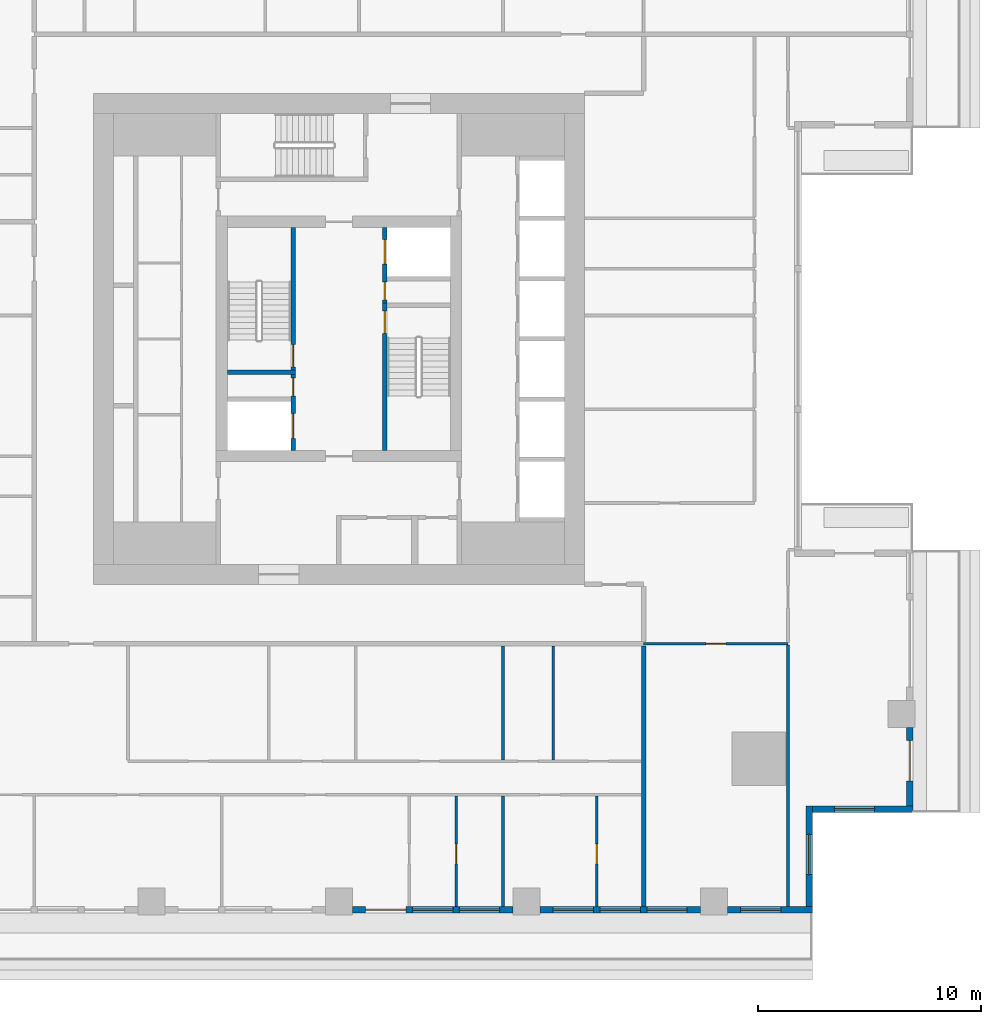
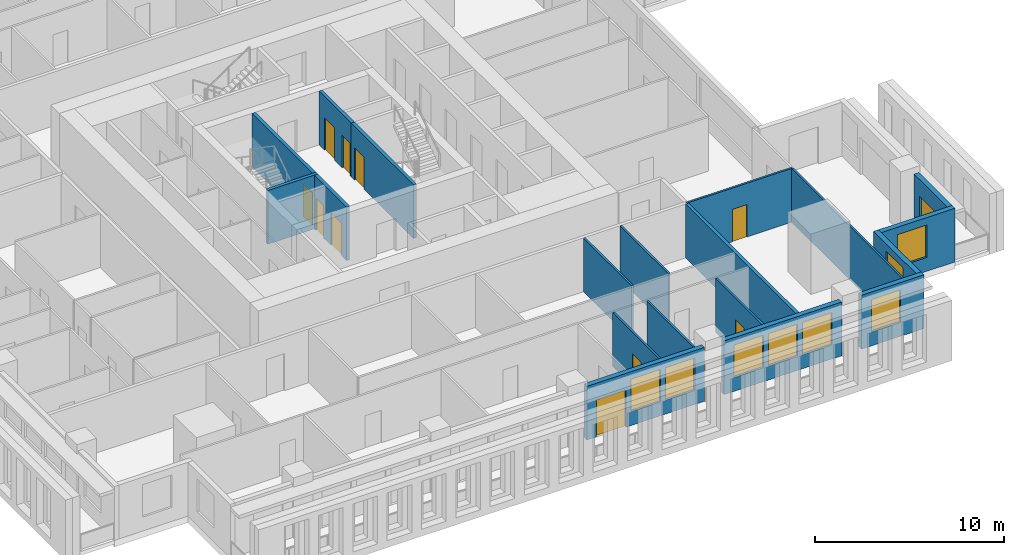
# One storey, part 4 of 15: 19 walls, 11 doors, 8 windows, 19 openings.
"""IFC4 building model written with IfcOpenShell, lengths in metres."""

from ifc_helpers import new_model, si_unit, direction, frame, frame_2d, origin, place, context, subcontext, project, spatial, rectangle, extrude, material, layer, layer_set, type_object, element, fill, save


model = new_model("IFC4")

# Units and contexts
model_context = context("Model", 3, precision=1e-05, world=origin(), true_north=direction((0.0, 1.0)))
body_context = subcontext(model_context, "Body", "Model", "MODEL_VIEW")
ifc_project = project(units=[si_unit("LENGTHUNIT", "METRE"), si_unit("AREAUNIT", "SQUARE_METRE"), si_unit("VOLUMEUNIT", "CUBIC_METRE"), si_unit("PLANEANGLEUNIT", "RADIAN"), si_unit("MASSUNIT", "GRAM", prefix="KILO")], contexts=[model_context])

# Site, building, storey
site_placement = place(None, origin())
site = spatial("IfcSite", under=ifc_project, at=site_placement, CompositionType="ELEMENT")
building_placement = place(site_placement, origin())
building = spatial("IfcBuilding", under=site, at=building_placement, Name="Khepri Terraces", CompositionType="ELEMENT")
storey_placement = place(building_placement, frame((0.0, 0.0, 211.800048828125)))
storey = spatial("IfcBuildingStorey", under=building, at=storey_placement, Name="L50", CompositionType="ELEMENT", Elevation=211.800048828125)

# Wall, opening, door
ifc_material_1 = material(Name="Concrete C50/60", Category="concrete")
ifc_layer_1 = layer(ifc_material_1, 0.199951171875, Name="Concrete C50/60", Category="concrete")
ifc_layer_set_1 = layer_set([ifc_layer_1], Name="Concrete C50/60")
wall_type_1 = type_object("IfcWallType", Name="Core wall 200 C50/60", PredefinedType="SHEAR", material=ifc_layer_set_1)
wall_1_placement = place(storey_placement, frame((2.050048828125, -5.0, 0.0), z_axis=(0.0, 0.0, 1.0), x_axis=(0.0, 1.0, 0.0)))
wall_1 = element("IfcWall", 1, at=wall_1_placement, inside=storey, type_object=wall_type_1, Name="Core wall ST01 L50", PredefinedType="SHEAR", context=body_context, shape_type="SweptSolid", body=[
    extrude(rectangle(XDim=6.60009765625, YDim=0.199951171875, at=frame_2d((3.300048828125, 0.0))), origin(), (0.0, 0.0, 1.0), 3.47998046875),
])
opening_1_placement = place(wall_1_placement, frame((5.25, 0.0, 0.0)))
opening_1 = element("IfcOpeningElement", 2, at=opening_1_placement, cuts=wall_1, Name="Opening L50-C10", PredefinedType="OPENING", context=body_context, shape_type="SweptSolid", body=[
    extrude(rectangle(XDim=1.0, YDim=2.10009765625, at=frame_2d((0.5, 1.050048828125))), frame((0.0, 0.10986328125, 0.0), z_axis=(0.0, -1.0, 0.0), x_axis=(1.0, 0.0, 0.0)), (0.0, 0.0, 1.0), 0.219970703125),
])
ifc_material_2 = material(Name="Painted steel", Category="steel")
door_type_1 = type_object("IfcDoorType", Name="DR-CORE-STAIR-1000", OperationType="NOTDEFINED", PredefinedType="DOOR", material=ifc_material_2)
door_1_placement = place(opening_1_placement, frame((1.0, 0.0, 0.0), z_axis=(0.0, 0.0, 1.0), x_axis=(-1.0, 0.0, 0.0)))
door_1 = element("IfcDoor", 3, at=door_1_placement, inside=storey, type_object=door_type_1, Name="Stair door L50-C10", OperationType="SINGLE_SWING_LEFT", OverallHeight=2.10009765625, OverallWidth=1.0, PredefinedType="DOOR", context=body_context, shape_type="SweptSolid", body=[
    extrude(rectangle(XDim=1.0, YDim=2.10009765625, at=frame_2d((0.5, 1.050048828125))), frame((0.0, 0.02490234375, 0.0), z_axis=(0.0, -1.0, 0.0), x_axis=(1.0, 0.0, 0.0)), (0.0, 0.0, 1.0), 0.050048828125),
])
fill(opening_1, door_1)

# Wall
wall_2_placement = place(storey_placement, frame((-5.0, -1.5, 0.0), z_axis=(0.0, 0.0, 1.0), x_axis=(1.0, 0.0, 0.0)))
element("IfcWall", 4, at=wall_2_placement, inside=storey, type_object=wall_type_1, Name="Core wall ST02 L50", PredefinedType="SHEAR", context=body_context, shape_type="SweptSolid", body=[
    extrude(rectangle(XDim=3.050048828125, YDim=0.199951171875, at=frame_2d((1.52490234375, 0.0))), origin(), (0.0, 0.0, 1.0), 3.47998046875),
])

# Wall, opening, door
wall_3_placement = place(storey_placement, frame((-2.050048828125, -1.39990234375, 0.0), z_axis=(0.0, 0.0, 1.0), x_axis=(0.0, 1.0, 0.0)))
wall_3 = element("IfcWall", 5, at=wall_3_placement, inside=storey, type_object=wall_type_1, Name="Core wall ST03 L50", PredefinedType="SHEAR", context=body_context, shape_type="SweptSolid", body=[
    extrude(rectangle(XDim=6.39990234375, YDim=0.199951171875, at=frame_2d((3.199951171875, 0.0))), origin(), (0.0, 0.0, 1.0), 3.47998046875),
])
opening_2_placement = place(wall_3_placement, frame((0.14990234375, 0.0, 0.0)))
opening_2 = element("IfcOpeningElement", 6, at=opening_2_placement, cuts=wall_3, Name="Opening L50-C09", PredefinedType="OPENING", context=body_context, shape_type="SweptSolid", body=[
    extrude(rectangle(XDim=1.0, YDim=2.10009765625, at=frame_2d((0.5, 1.050048828125))), frame((0.0, 0.10986328125, 0.0), z_axis=(0.0, -1.0, 0.0), x_axis=(1.0, 0.0, 0.0)), (0.0, 0.0, 1.0), 0.219970703125),
])
door_2_placement = place(opening_2_placement, origin())
door_2 = element("IfcDoor", 7, at=door_2_placement, inside=storey, type_object=door_type_1, Name="Stair door L50-C09", OperationType="SINGLE_SWING_LEFT", OverallHeight=2.10009765625, OverallWidth=1.0, PredefinedType="DOOR", context=body_context, shape_type="SweptSolid", body=[
    extrude(rectangle(XDim=1.0, YDim=2.10009765625, at=frame_2d((0.5, 1.050048828125))), frame((0.0, 0.02490234375, 0.0), z_axis=(0.0, -1.0, 0.0), x_axis=(1.0, 0.0, 0.0)), (0.0, 0.0, 1.0), 0.050048828125),
])
fill(opening_2, door_2)

# Wall, openings, doors
wall_4_placement = place(storey_placement, frame((-2.050048828125, -5.0, 0.0), z_axis=(0.0, 0.0, 1.0), x_axis=(0.0, 1.0, 0.0)))
wall_4 = element("IfcWall", 8, at=wall_4_placement, inside=storey, type_object=wall_type_1, Name="Core wall SH05 L50", PredefinedType="SHEAR", context=body_context, shape_type="SweptSolid", body=[
    extrude(rectangle(XDim=3.39990234375, YDim=0.199951171875, at=frame_2d((1.699951171875, 0.0))), origin(), (0.0, 0.0, 1.0), 3.47998046875),
])
opening_3_placement = place(wall_4_placement, frame((0.550048828125, 0.0, 0.0)))
opening_3 = element("IfcOpeningElement", 9, at=opening_3_placement, cuts=wall_4, Name="Opening L50-C08", PredefinedType="OPENING", context=body_context, shape_type="SweptSolid", body=[
    extrude(rectangle(XDim=1.10009765625, YDim=2.10009765625, at=frame_2d((0.550048828125, 1.050048828125))), frame((0.0, 0.10986328125, 0.0), z_axis=(0.0, -1.0, 0.0), x_axis=(1.0, 0.0, 0.0)), (0.0, 0.0, 1.0), 0.219970703125),
])
opening_4_placement = place(wall_4_placement, frame((2.449951171875, 0.0, 0.0)))
opening_4 = element("IfcOpeningElement", 10, at=opening_4_placement, cuts=wall_4, Name="Opening L50-C12", PredefinedType="OPENING", context=body_context, shape_type="SweptSolid", body=[
    extrude(rectangle(XDim=0.800048828125, YDim=2.10009765625, at=frame_2d((0.39990234375, 1.050048828125))), frame((0.0, 0.10986328125, 0.0), z_axis=(0.0, -1.0, 0.0), x_axis=(1.0, 0.0, 0.0)), (0.0, 0.0, 1.0), 0.219970703125),
])
ifc_material_3 = material(Name="Stainless steel 304", Category="steel")
door_type_2 = type_object("IfcDoorType", Name="DR-CORE-FF-LANDING-1100", OperationType="NOTDEFINED", PredefinedType="DOOR", material=ifc_material_3)
door_3_placement = place(opening_3_placement, origin())
door_3 = element("IfcDoor", 11, at=door_3_placement, inside=storey, type_object=door_type_2, Name="Firefighting lift landing door L50-C08", OperationType="SLIDING_TO_LEFT", OverallHeight=2.10009765625, OverallWidth=1.10009765625, PredefinedType="DOOR", context=body_context, shape_type="SweptSolid", body=[
    extrude(rectangle(XDim=1.10009765625, YDim=2.10009765625, at=frame_2d((0.550048828125, 1.050048828125))), frame((0.0, 0.02490234375, 0.0), z_axis=(0.0, -1.0, 0.0), x_axis=(1.0, 0.0, 0.0)), (0.0, 0.0, 1.0), 0.050048828125),
])
fill(opening_3, door_3)
door_type_3 = type_object("IfcDoorType", Name="DR-CORE-RISER-800", OperationType="NOTDEFINED", PredefinedType="DOOR", material=ifc_material_2)
door_4_placement = place(opening_4_placement, origin())
door_4 = element("IfcDoor", 12, at=door_4_placement, inside=storey, type_object=door_type_3, Name="Riser door L50-C12", OperationType="SINGLE_SWING_RIGHT", OverallHeight=2.10009765625, OverallWidth=0.800048828125, PredefinedType="DOOR", context=body_context, shape_type="SweptSolid", body=[
    extrude(rectangle(XDim=0.800048828125, YDim=2.10009765625, at=frame_2d((0.39990234375, 1.050048828125))), frame((0.0, 0.02490234375, 0.0), z_axis=(0.0, -1.0, 0.0), x_axis=(1.0, 0.0, 0.0)), (0.0, 0.0, 1.0), 0.050048828125),
])
fill(opening_4, door_4)

wall_5_placement = place(storey_placement, frame((2.050048828125, 1.60009765625, 0.0), z_axis=(0.0, 0.0, 1.0), x_axis=(0.0, 1.0, 0.0)))
wall_5 = element("IfcWall", 13, at=wall_5_placement, inside=storey, type_object=wall_type_1, Name="Core wall SH10 L50", PredefinedType="SHEAR", context=body_context, shape_type="SweptSolid", body=[
    extrude(rectangle(XDim=3.39990234375, YDim=0.199951171875, at=frame_2d((1.699951171875, 0.0))), origin(), (0.0, 0.0, 1.0), 3.47998046875),
])
opening_5_placement = place(wall_5_placement, frame((1.75, 0.0, 0.0)))
opening_5 = element("IfcOpeningElement", 14, at=opening_5_placement, cuts=wall_5, Name="Opening L50-C07", PredefinedType="OPENING", context=body_context, shape_type="SweptSolid", body=[
    extrude(rectangle(XDim=1.10009765625, YDim=2.10009765625, at=frame_2d((0.550048828125, 1.050048828125))), frame((0.0, 0.10986328125, 0.0), z_axis=(0.0, -1.0, 0.0), x_axis=(1.0, 0.0, 0.0)), (0.0, 0.0, 1.0), 0.219970703125),
])
opening_6_placement = place(wall_5_placement, frame((0.14990234375, 0.0, 0.0)))
opening_6 = element("IfcOpeningElement", 15, at=opening_6_placement, cuts=wall_5, Name="Opening L50-C11", PredefinedType="OPENING", context=body_context, shape_type="SweptSolid", body=[
    extrude(rectangle(XDim=0.800048828125, YDim=2.10009765625, at=frame_2d((0.39990234375, 1.050048828125))), frame((0.0, 0.10986328125, 0.0), z_axis=(0.0, -1.0, 0.0), x_axis=(1.0, 0.0, 0.0)), (0.0, 0.0, 1.0), 0.219970703125),
])
door_5_placement = place(opening_5_placement, origin())
door_5 = element("IfcDoor", 16, at=door_5_placement, inside=storey, type_object=door_type_2, Name="Firefighting lift landing door L50-C07", OperationType="SLIDING_TO_LEFT", OverallHeight=2.10009765625, OverallWidth=1.10009765625, PredefinedType="DOOR", context=body_context, shape_type="SweptSolid", body=[
    extrude(rectangle(XDim=1.10009765625, YDim=2.10009765625, at=frame_2d((0.550048828125, 1.050048828125))), frame((0.0, 0.02490234375, 0.0), z_axis=(0.0, -1.0, 0.0), x_axis=(1.0, 0.0, 0.0)), (0.0, 0.0, 1.0), 0.050048828125),
])
fill(opening_5, door_5)
door_6_placement = place(opening_6_placement, frame((0.800048828125, 0.0, 0.0), z_axis=(0.0, 0.0, 1.0), x_axis=(-1.0, 0.0, 0.0)))
door_6 = element("IfcDoor", 17, at=door_6_placement, inside=storey, type_object=door_type_3, Name="Riser door L50-C11", OperationType="SINGLE_SWING_RIGHT", OverallHeight=2.10009765625, OverallWidth=0.800048828125, PredefinedType="DOOR", context=body_context, shape_type="SweptSolid", body=[
    extrude(rectangle(XDim=0.800048828125, YDim=2.10009765625, at=frame_2d((0.39990234375, 1.050048828125))), frame((0.0, 0.02490234375, 0.0), z_axis=(0.0, -1.0, 0.0), x_axis=(1.0, 0.0, 0.0)), (0.0, 0.0, 1.0), 0.050048828125),
])
fill(opening_6, door_6)

# Wall
ifc_material_4 = material(Name="Fire-rated gypsum plasterboard partition, mineral wool")
ifc_layer_2 = layer(ifc_material_4, 0.199951171875, Name="Fire-rated gypsum plasterboard partition, mineral wool")
ifc_layer_set_2 = layer_set([ifc_layer_2], Name="Fire-rated gypsum plasterboard partition, mineral wool")
wall_type_2 = type_object("IfcWallType", Name="WL-CORR-200", PredefinedType="PARTITIONING", material=ifc_layer_set_2)
wall_6_placement = place(storey_placement, frame((13.64990234375, -25.419921875, 0.0), z_axis=(0.0, 0.0, 1.0), x_axis=(0.0, 1.0, 0.0)))
element("IfcWall", 18, at=wall_6_placement, inside=storey, type_object=wall_type_2, Name="Partition P-007 L50", PredefinedType="PARTITIONING", context=body_context, shape_type="SweptSolid", body=[
    extrude(rectangle(XDim=11.669921875, YDim=0.199951171875, at=frame_2d((5.8349609375, 0.0))), origin(), (0.0, 0.0, 1.0), 3.47998046875),
])

# Wall, opening, window
ifc_material_5 = material(Name="Precast concrete C50/60 warm stone", Category="masonry")
ifc_layer_3 = layer(ifc_material_5, 0.300048828125, Name="Precast concrete C50/60 warm stone", Category="masonry")
ifc_layer_set_3 = layer_set([ifc_layer_3], Name="Precast concrete C50/60 warm stone")
wall_type_3 = type_object("IfcWallType", Name="WL-EXT-PRECAST-300", PredefinedType="STANDARD", material=ifc_layer_set_3)
wall_7_placement = place(storey_placement, frame((21.219970703125, -21.070068359375, 0.0), z_axis=(0.0, 0.0, 1.0), x_axis=(1.0, 0.0, 0.0)))
wall_7 = element("IfcWall", 19, at=wall_7_placement, inside=storey, type_object=wall_type_3, Name="External wall L50 S", PredefinedType="STANDARD", context=body_context, shape_type="SweptSolid", body=[
    extrude(rectangle(XDim=4.5, YDim=0.300048828125, at=frame_2d((2.25, 0.0))), origin(), (0.0, 0.0, 1.0), 3.47998046875),
])
opening_7_placement = place(wall_7_placement, frame((0.97998046875, 0.0, 0.89990234375)))
opening_7 = element("IfcOpeningElement", 20, at=opening_7_placement, cuts=wall_7, Name="Opening W1", PredefinedType="OPENING", context=body_context, shape_type="SweptSolid", body=[
    extrude(rectangle(XDim=1.800048828125, YDim=2.10009765625, at=frame_2d((0.89990234375, 1.050048828125))), frame((0.0, 0.16015625, 0.0), z_axis=(0.0, -1.0, 0.0), x_axis=(1.0, 0.0, 0.0)), (0.0, 0.0, 1.0), 0.320068359375),
])
ifc_material_6 = material(Name="Clear glass", Category="glass")
window_type = type_object("IfcWindowType", Name="WIN-RES-1800x2100", PartitioningType="SINGLE_PANEL", PredefinedType="WINDOW", material=ifc_material_6)
window_1_placement = place(opening_7_placement, origin())
window_1 = element("IfcWindow", 21, at=window_1_placement, inside=storey, type_object=window_type, Name="Window L50 S", OverallHeight=2.10009765625, OverallWidth=1.800048828125, PartitioningType="SINGLE_PANEL", PredefinedType="WINDOW", context=body_context, shape_type="SweptSolid", body=[
    extrude(rectangle(XDim=1.800048828125, YDim=2.10009765625, at=frame_2d((0.89990234375, 1.050048828125))), frame((0.0, 0.030029296875, 0.0), z_axis=(0.0, -1.0, 0.0), x_axis=(1.0, 0.0, 0.0)), (0.0, 0.0, 1.0), 0.06005859375),
])
fill(opening_7, window_1)

# Wall, opening, door
wall_8_placement = place(storey_placement, frame((25.570068359375, -20.919921875, 0.0), z_axis=(0.0, 0.0, 1.0), x_axis=(0.0, 1.0, 0.0)))
wall_8 = element("IfcWall", 22, at=wall_8_placement, inside=storey, type_object=wall_type_3, Name="External wall L50 E", PredefinedType="STANDARD", context=body_context, shape_type="SweptSolid", body=[
    extrude(rectangle(XDim=3.52001953125, YDim=0.300048828125, at=frame_2d((1.760009765625, 0.0))), origin(), (0.0, 0.0, 1.0), 3.47998046875),
])
opening_8_placement = place(wall_8_placement, frame((1.1201171875, 0.0, 0.0)))
opening_8 = element("IfcOpeningElement", 23, at=opening_8_placement, cuts=wall_8, Name="Opening ED-L50-01", PredefinedType="OPENING", context=body_context, shape_type="SweptSolid", body=[
    extrude(rectangle(XDim=1.800048828125, YDim=2.39990234375, at=frame_2d((0.89990234375, 1.199951171875))), frame((0.0, 0.16015625, 0.0), z_axis=(0.0, -1.0, 0.0), x_axis=(1.0, 0.0, 0.0)), (0.0, 0.0, 1.0), 0.320068359375),
])
ifc_material_7 = material(Name="Anodised aluminium bronze glazed door", Category="aluminium")
door_type_4 = type_object("IfcDoorType", Name="DR-BAL-SLIDE-1800x2400", OperationType="NOTDEFINED", PredefinedType="DOOR", material=ifc_material_7)
door_7_placement = place(opening_8_placement, origin())
door_7 = element("IfcDoor", 24, at=door_7_placement, inside=storey, type_object=door_type_4, Name="Balcony door L50 E", OperationType="SLIDING_TO_RIGHT", OverallHeight=2.39990234375, OverallWidth=1.800048828125, PredefinedType="DOOR", context=body_context, shape_type="SweptSolid", body=[
    extrude(rectangle(XDim=1.800048828125, YDim=2.39990234375, at=frame_2d((0.89990234375, 1.199951171875))), frame((0.0, 0.02490234375, 0.0), z_axis=(0.0, -1.0, 0.0), x_axis=(1.0, 0.0, 0.0)), (0.0, 0.0, 1.0), 0.050048828125),
])
fill(opening_8, door_7)

# Wall, openings, door, windows
wall_9_placement = place(storey_placement, frame((0.60009765625, -25.570068359375, 0.0), z_axis=(0.0, 0.0, 1.0), x_axis=(1.0, 0.0, 0.0)))
wall_9 = element("IfcWall", 25, at=wall_9_placement, inside=storey, type_object=wall_type_3, Name="External wall L50 S", PredefinedType="STANDARD", context=body_context, shape_type="SweptSolid", body=[
    extrude(rectangle(XDim=7.199951171875, YDim=0.300048828125, at=frame_2d((3.60009765625, 0.0))), origin(), (0.0, 0.0, 1.0), 3.47998046875),
])
opening_9_placement = place(wall_9_placement, frame((0.60009765625, 0.0, 0.0)))
opening_9 = element("IfcOpeningElement", 26, at=opening_9_placement, cuts=wall_9, Name="Opening ED-L50-22", PredefinedType="OPENING", context=body_context, shape_type="SweptSolid", body=[
    extrude(rectangle(XDim=1.800048828125, YDim=2.39990234375, at=frame_2d((0.89990234375, 1.199951171875))), frame((0.0, 0.16015625, 0.0), z_axis=(0.0, -1.0, 0.0), x_axis=(1.0, 0.0, 0.0)), (0.0, 0.0, 1.0), 0.320068359375),
])
opening_10_placement = place(wall_9_placement, frame((2.699951171875, 0.0, 0.89990234375)))
opening_10 = element("IfcOpeningElement", 27, at=opening_10_placement, cuts=wall_9, Name="Opening W1", PredefinedType="OPENING", context=body_context, shape_type="SweptSolid", body=[
    extrude(rectangle(XDim=1.800048828125, YDim=2.10009765625, at=frame_2d((0.89990234375, 1.050048828125))), frame((0.0, 0.16015625, 0.0), z_axis=(0.0, -1.0, 0.0), x_axis=(1.0, 0.0, 0.0)), (0.0, 0.0, 1.0), 0.320068359375),
])
opening_11_placement = place(wall_9_placement, frame((4.800048828125, 0.0, 0.89990234375)))
opening_11 = element("IfcOpeningElement", 28, at=opening_11_placement, cuts=wall_9, Name="Opening W1", PredefinedType="OPENING", context=body_context, shape_type="SweptSolid", body=[
    extrude(rectangle(XDim=1.800048828125, YDim=2.10009765625, at=frame_2d((0.89990234375, 1.050048828125))), frame((0.0, 0.16015625, 0.0), z_axis=(0.0, -1.0, 0.0), x_axis=(1.0, 0.0, 0.0)), (0.0, 0.0, 1.0), 0.320068359375),
])
door_8_placement = place(opening_9_placement, origin())
door_8 = element("IfcDoor", 29, at=door_8_placement, inside=storey, type_object=door_type_4, Name="Balcony door L50 S", OperationType="SLIDING_TO_LEFT", OverallHeight=2.39990234375, OverallWidth=1.800048828125, PredefinedType="DOOR", context=body_context, shape_type="SweptSolid", body=[
    extrude(rectangle(XDim=1.800048828125, YDim=2.39990234375, at=frame_2d((0.89990234375, 1.199951171875))), frame((0.0, 0.02490234375, 0.0), z_axis=(0.0, -1.0, 0.0), x_axis=(1.0, 0.0, 0.0)), (0.0, 0.0, 1.0), 0.050048828125),
])
fill(opening_9, door_8)
window_2_placement = place(opening_10_placement, origin())
window_2 = element("IfcWindow", 30, at=window_2_placement, inside=storey, type_object=window_type, Name="Window L50 S", OverallHeight=2.10009765625, OverallWidth=1.800048828125, PartitioningType="SINGLE_PANEL", PredefinedType="WINDOW", context=body_context, shape_type="SweptSolid", body=[
    extrude(rectangle(XDim=1.800048828125, YDim=2.10009765625, at=frame_2d((0.89990234375, 1.050048828125))), frame((0.0, 0.030029296875, 0.0), z_axis=(0.0, -1.0, 0.0), x_axis=(1.0, 0.0, 0.0)), (0.0, 0.0, 1.0), 0.06005859375),
])
fill(opening_10, window_2)
window_3_placement = place(opening_11_placement, origin())
window_3 = element("IfcWindow", 31, at=window_3_placement, inside=storey, type_object=window_type, Name="Window L50 S", OverallHeight=2.10009765625, OverallWidth=1.800048828125, PartitioningType="SINGLE_PANEL", PredefinedType="WINDOW", context=body_context, shape_type="SweptSolid", body=[
    extrude(rectangle(XDim=1.800048828125, YDim=2.10009765625, at=frame_2d((0.89990234375, 1.050048828125))), frame((0.0, 0.030029296875, 0.0), z_axis=(0.0, -1.0, 0.0), x_axis=(1.0, 0.0, 0.0)), (0.0, 0.0, 1.0), 0.06005859375),
])
fill(opening_11, window_3)

# Wall, openings, windows
wall_10_placement = place(storey_placement, frame((9.0, -25.570068359375, 0.0), z_axis=(0.0, 0.0, 1.0), x_axis=(1.0, 0.0, 0.0)))
wall_10 = element("IfcWall", 32, at=wall_10_placement, inside=storey, type_object=wall_type_3, Name="External wall L50 S", PredefinedType="STANDARD", context=body_context, shape_type="SweptSolid", body=[
    extrude(rectangle(XDim=7.199951171875, YDim=0.300048828125, at=frame_2d((3.60009765625, 0.0))), origin(), (0.0, 0.0, 1.0), 3.47998046875),
])
opening_12_placement = place(wall_10_placement, frame((0.60009765625, 0.0, 0.89990234375)))
opening_12 = element("IfcOpeningElement", 33, at=opening_12_placement, cuts=wall_10, Name="Opening W1", PredefinedType="OPENING", context=body_context, shape_type="SweptSolid", body=[
    extrude(rectangle(XDim=1.800048828125, YDim=2.10009765625, at=frame_2d((0.89990234375, 1.050048828125))), frame((0.0, 0.16015625, 0.0), z_axis=(0.0, -1.0, 0.0), x_axis=(1.0, 0.0, 0.0)), (0.0, 0.0, 1.0), 0.320068359375),
])
opening_13_placement = place(wall_10_placement, frame((2.699951171875, 0.0, 0.89990234375)))
opening_13 = element("IfcOpeningElement", 34, at=opening_13_placement, cuts=wall_10, Name="Opening W1", PredefinedType="OPENING", context=body_context, shape_type="SweptSolid", body=[
    extrude(rectangle(XDim=1.800048828125, YDim=2.10009765625, at=frame_2d((0.89990234375, 1.050048828125))), frame((0.0, 0.16015625, 0.0), z_axis=(0.0, -1.0, 0.0), x_axis=(1.0, 0.0, 0.0)), (0.0, 0.0, 1.0), 0.320068359375),
])
opening_14_placement = place(wall_10_placement, frame((4.800048828125, 0.0, 0.89990234375)))
opening_14 = element("IfcOpeningElement", 35, at=opening_14_placement, cuts=wall_10, Name="Opening W1", PredefinedType="OPENING", context=body_context, shape_type="SweptSolid", body=[
    extrude(rectangle(XDim=1.800048828125, YDim=2.10009765625, at=frame_2d((0.89990234375, 1.050048828125))), frame((0.0, 0.16015625, 0.0), z_axis=(0.0, -1.0, 0.0), x_axis=(1.0, 0.0, 0.0)), (0.0, 0.0, 1.0), 0.320068359375),
])
window_4_placement = place(opening_12_placement, origin())
window_4 = element("IfcWindow", 36, at=window_4_placement, inside=storey, type_object=window_type, Name="Window L50 S", OverallHeight=2.10009765625, OverallWidth=1.800048828125, PartitioningType="SINGLE_PANEL", PredefinedType="WINDOW", context=body_context, shape_type="SweptSolid", body=[
    extrude(rectangle(XDim=1.800048828125, YDim=2.10009765625, at=frame_2d((0.89990234375, 1.050048828125))), frame((0.0, 0.030029296875, 0.0), z_axis=(0.0, -1.0, 0.0), x_axis=(1.0, 0.0, 0.0)), (0.0, 0.0, 1.0), 0.06005859375),
])
fill(opening_12, window_4)
window_5_placement = place(opening_13_placement, origin())
window_5 = element("IfcWindow", 37, at=window_5_placement, inside=storey, type_object=window_type, Name="Window L50 S", OverallHeight=2.10009765625, OverallWidth=1.800048828125, PartitioningType="SINGLE_PANEL", PredefinedType="WINDOW", context=body_context, shape_type="SweptSolid", body=[
    extrude(rectangle(XDim=1.800048828125, YDim=2.10009765625, at=frame_2d((0.89990234375, 1.050048828125))), frame((0.0, 0.030029296875, 0.0), z_axis=(0.0, -1.0, 0.0), x_axis=(1.0, 0.0, 0.0)), (0.0, 0.0, 1.0), 0.06005859375),
])
fill(opening_13, window_5)
window_6_placement = place(opening_14_placement, origin())
window_6 = element("IfcWindow", 38, at=window_6_placement, inside=storey, type_object=window_type, Name="Window L50 S", OverallHeight=2.10009765625, OverallWidth=1.800048828125, PartitioningType="SINGLE_PANEL", PredefinedType="WINDOW", context=body_context, shape_type="SweptSolid", body=[
    extrude(rectangle(XDim=1.800048828125, YDim=2.10009765625, at=frame_2d((0.89990234375, 1.050048828125))), frame((0.0, 0.030029296875, 0.0), z_axis=(0.0, -1.0, 0.0), x_axis=(1.0, 0.0, 0.0)), (0.0, 0.0, 1.0), 0.06005859375),
])
fill(opening_14, window_6)

# Wall, opening, window
wall_11_placement = place(storey_placement, frame((17.39990234375, -25.570068359375, 0.0), z_axis=(0.0, 0.0, 1.0), x_axis=(1.0, 0.0, 0.0)))
wall_11 = element("IfcWall", 39, at=wall_11_placement, inside=storey, type_object=wall_type_3, Name="External wall L50 S", PredefinedType="STANDARD", context=body_context, shape_type="SweptSolid", body=[
    extrude(rectangle(XDim=3.820068359375, YDim=0.300048828125, at=frame_2d((1.91015625, 0.0))), origin(), (0.0, 0.0, 1.0), 3.47998046875),
])
opening_15_placement = place(wall_11_placement, frame((0.60009765625, 0.0, 0.89990234375)))
opening_15 = element("IfcOpeningElement", 40, at=opening_15_placement, cuts=wall_11, Name="Opening W1", PredefinedType="OPENING", context=body_context, shape_type="SweptSolid", body=[
    extrude(rectangle(XDim=1.800048828125, YDim=2.10009765625, at=frame_2d((0.89990234375, 1.050048828125))), frame((0.0, 0.16015625, 0.0), z_axis=(0.0, -1.0, 0.0), x_axis=(1.0, 0.0, 0.0)), (0.0, 0.0, 1.0), 0.320068359375),
])
window_7_placement = place(opening_15_placement, origin())
window_7 = element("IfcWindow", 41, at=window_7_placement, inside=storey, type_object=window_type, Name="Window L50 S", OverallHeight=2.10009765625, OverallWidth=1.800048828125, PartitioningType="SINGLE_PANEL", PredefinedType="WINDOW", context=body_context, shape_type="SweptSolid", body=[
    extrude(rectangle(XDim=1.800048828125, YDim=2.10009765625, at=frame_2d((0.89990234375, 1.050048828125))), frame((0.0, 0.030029296875, 0.0), z_axis=(0.0, -1.0, 0.0), x_axis=(1.0, 0.0, 0.0)), (0.0, 0.0, 1.0), 0.06005859375),
])
fill(opening_15, window_7)

wall_12_placement = place(storey_placement, frame((21.070068359375, -25.419921875, 0.0), z_axis=(0.0, 0.0, 1.0), x_axis=(0.0, 1.0, 0.0)))
wall_12 = element("IfcWall", 42, at=wall_12_placement, inside=storey, type_object=wall_type_3, Name="External wall L50 E", PredefinedType="STANDARD", context=body_context, shape_type="SweptSolid", body=[
    extrude(rectangle(XDim=4.5, YDim=0.300048828125, at=frame_2d((2.25, 0.0))), origin(), (0.0, 0.0, 1.0), 3.47998046875),
])
opening_16_placement = place(wall_12_placement, frame((1.419921875, 0.0, 0.89990234375)))
opening_16 = element("IfcOpeningElement", 43, at=opening_16_placement, cuts=wall_12, Name="Opening W1", PredefinedType="OPENING", context=body_context, shape_type="SweptSolid", body=[
    extrude(rectangle(XDim=1.800048828125, YDim=2.10009765625, at=frame_2d((0.89990234375, 1.050048828125))), frame((0.0, 0.16015625, 0.0), z_axis=(0.0, -1.0, 0.0), x_axis=(1.0, 0.0, 0.0)), (0.0, 0.0, 1.0), 0.320068359375),
])
window_8_placement = place(opening_16_placement, origin())
window_8 = element("IfcWindow", 44, at=window_8_placement, inside=storey, type_object=window_type, Name="Window L50 E", OverallHeight=2.10009765625, OverallWidth=1.800048828125, PartitioningType="SINGLE_PANEL", PredefinedType="WINDOW", context=body_context, shape_type="SweptSolid", body=[
    extrude(rectangle(XDim=1.800048828125, YDim=2.10009765625, at=frame_2d((0.89990234375, 1.050048828125))), frame((0.0, 0.030029296875, 0.0), z_axis=(0.0, -1.0, 0.0), x_axis=(1.0, 0.0, 0.0)), (0.0, 0.0, 1.0), 0.06005859375),
])
fill(opening_16, window_8)

# Wall, opening, door
ifc_material_8 = material(Name="Gypsum plasterboard partition")
ifc_layer_4 = layer(ifc_material_8, 0.1201171875, Name="Gypsum plasterboard partition")
ifc_layer_set_4 = layer_set([ifc_layer_4], Name="Gypsum plasterboard partition")
wall_type_4 = type_object("IfcWallType", Name="WL-PART-120", PredefinedType="PARTITIONING", material=ifc_layer_set_4)
wall_13_placement = place(storey_placement, frame((5.25, -25.419921875, 0.0), z_axis=(0.0, 0.0, 1.0), x_axis=(0.0, 1.0, 0.0)))
wall_13 = element("IfcWall", 45, at=wall_13_placement, inside=storey, type_object=wall_type_4, Name="Partition P-004 L50", PredefinedType="PARTITIONING", context=body_context, shape_type="SweptSolid", body=[
    extrude(rectangle(XDim=4.93994140625, YDim=0.1201171875, at=frame_2d((2.469970703125, 0.0))), origin(), (0.0, 0.0, 1.0), 3.47998046875),
])
opening_17_placement = place(wall_13_placement, frame((1.89990234375, 0.0, 0.0)))
opening_17 = element("IfcOpeningElement", 46, at=opening_17_placement, cuts=wall_13, Name="Opening D4", PredefinedType="OPENING", context=body_context, shape_type="SweptSolid", body=[
    extrude(rectangle(XDim=0.89990234375, YDim=2.10009765625, at=frame_2d((0.449951171875, 1.050048828125))), frame((0.0, 0.070068359375, 0.0), z_axis=(0.0, -1.0, 0.0), x_axis=(1.0, 0.0, 0.0)), (0.0, 0.0, 1.0), 0.14013671875),
])
ifc_material_9 = material(Name="Timber door leaf, moisture resistant", Category="wood")
door_type_5 = type_object("IfcDoorType", Name="DR-WET-900", OperationType="NOTDEFINED", PredefinedType="DOOR", material=ifc_material_9)
door_9_placement = place(opening_17_placement, frame((0.89990234375, 0.0, 0.0), z_axis=(0.0, 0.0, 1.0), x_axis=(-1.0, 0.0, 0.0)))
door_9 = element("IfcDoor", 47, at=door_9_placement, inside=storey, type_object=door_type_5, Name="Door Bathroom", OperationType="SINGLE_SWING_RIGHT", OverallHeight=2.10009765625, OverallWidth=0.89990234375, PredefinedType="DOOR", context=body_context, shape_type="SweptSolid", body=[
    extrude(rectangle(XDim=0.89990234375, YDim=2.10009765625, at=frame_2d((0.449951171875, 1.050048828125))), frame((0.0, 0.02490234375, 0.0), z_axis=(0.0, -1.0, 0.0), x_axis=(1.0, 0.0, 0.0)), (0.0, 0.0, 1.0), 0.050048828125),
])
fill(opening_17, door_9)

# Wall
wall_14_placement = place(storey_placement, frame((7.35009765625, -25.419921875, 0.0), z_axis=(0.0, 0.0, 1.0), x_axis=(0.0, 1.0, 0.0)))
element("IfcWall", 48, at=wall_14_placement, inside=storey, type_object=wall_type_4, Name="Partition P-005 L50", PredefinedType="PARTITIONING", context=body_context, shape_type="SweptSolid", body=[
    extrude(rectangle(XDim=4.93994140625, YDim=0.1201171875, at=frame_2d((2.469970703125, 0.0))), origin(), (0.0, 0.0, 1.0), 3.47998046875),
])

# Wall, opening, door
wall_15_placement = place(storey_placement, frame((11.550048828125, -25.419921875, 0.0), z_axis=(0.0, 0.0, 1.0), x_axis=(0.0, 1.0, 0.0)))
wall_15 = element("IfcWall", 49, at=wall_15_placement, inside=storey, type_object=wall_type_4, Name="Partition P-006 L50", PredefinedType="PARTITIONING", context=body_context, shape_type="SweptSolid", body=[
    extrude(rectangle(XDim=4.93994140625, YDim=0.1201171875, at=frame_2d((2.469970703125, 0.0))), origin(), (0.0, 0.0, 1.0), 3.47998046875),
])
opening_18_placement = place(wall_15_placement, frame((1.89990234375, 0.0, 0.0)))
opening_18 = element("IfcOpeningElement", 50, at=opening_18_placement, cuts=wall_15, Name="Opening D4", PredefinedType="OPENING", context=body_context, shape_type="SweptSolid", body=[
    extrude(rectangle(XDim=0.89990234375, YDim=2.10009765625, at=frame_2d((0.449951171875, 1.050048828125))), frame((0.0, 0.070068359375, 0.0), z_axis=(0.0, -1.0, 0.0), x_axis=(1.0, 0.0, 0.0)), (0.0, 0.0, 1.0), 0.14013671875),
])
door_10_placement = place(opening_18_placement, frame((0.89990234375, 0.0, 0.0), z_axis=(0.0, 0.0, 1.0), x_axis=(-1.0, 0.0, 0.0)))
door_10 = element("IfcDoor", 51, at=door_10_placement, inside=storey, type_object=door_type_5, Name="Door Bathroom", OperationType="SINGLE_SWING_RIGHT", OverallHeight=2.10009765625, OverallWidth=0.89990234375, PredefinedType="DOOR", context=body_context, shape_type="SweptSolid", body=[
    extrude(rectangle(XDim=0.89990234375, YDim=2.10009765625, at=frame_2d((0.449951171875, 1.050048828125))), frame((0.0, 0.02490234375, 0.0), z_axis=(0.0, -1.0, 0.0), x_axis=(1.0, 0.0, 0.0)), (0.0, 0.0, 1.0), 0.050048828125),
])
fill(opening_18, door_10)

# Walls
wall_16_placement = place(storey_placement, frame((20.1201171875, -25.419921875, 0.0), z_axis=(0.0, 0.0, 1.0), x_axis=(0.0, 1.0, 0.0)))
element("IfcWall", 52, at=wall_16_placement, inside=storey, type_object=wall_type_4, Name="Partition P-008 L50", PredefinedType="PARTITIONING", context=body_context, shape_type="SweptSolid", body=[
    extrude(rectangle(XDim=11.7099609375, YDim=0.1201171875, at=frame_2d((5.85498046875, 0.0))), origin(), (0.0, 0.0, 1.0), 3.47998046875),
])
for number, where, z_axis, x_axis, name in (
    (53, (7.35009765625, -18.860107421875, 0.0), (0.0, 0.0, 1.0), (0.0, 1.0, 0.0), "Partition P-016 L50"),
    (54, (9.60009765625, -18.860107421875, 0.0), (0.0, 0.0, 1.0), (0.0, 1.0, 0.0), "Partition P-017 L50"),
):
    element("IfcWall", number, at=place(storey_placement, frame(where, z_axis=z_axis, x_axis=x_axis)), inside=storey, type_object=wall_type_4, Name=name, PredefinedType="PARTITIONING", context=body_context, shape_type="SweptSolid", body=[
        extrude(rectangle(XDim=5.110107421875, YDim=0.1201171875, at=frame_2d((2.55517578125, 0.0))), origin(), (0.0, 0.0, 1.0), 3.47998046875),
    ])

# Wall, opening, door
wall_17_placement = place(storey_placement, frame((13.64990234375, -13.64990234375, 0.0), z_axis=(0.0, 0.0, 1.0), x_axis=(1.0, 0.0, 0.0)))
wall_17 = element("IfcWall", 55, at=wall_17_placement, inside=storey, type_object=wall_type_4, Name="Partition P-019 L50", PredefinedType="PARTITIONING", context=body_context, shape_type="SweptSolid", body=[
    extrude(rectangle(XDim=6.47021484375, YDim=0.1201171875, at=frame_2d((3.235107421875, 0.0))), origin(), (0.0, 0.0, 1.0), 3.47998046875),
])
opening_19_placement = place(wall_17_placement, frame((2.784912109375, 0.0, 0.0)))
opening_19 = element("IfcOpeningElement", 56, at=opening_19_placement, cuts=wall_17, Name="Opening D3", PredefinedType="OPENING", context=body_context, shape_type="SweptSolid", body=[
    extrude(rectangle(XDim=0.89990234375, YDim=2.10009765625, at=frame_2d((0.449951171875, 1.050048828125))), frame((0.0, 0.070068359375, 0.0), z_axis=(0.0, -1.0, 0.0), x_axis=(1.0, 0.0, 0.0)), (0.0, 0.0, 1.0), 0.14013671875),
])
ifc_material_10 = material(Name="Timber door leaf", Category="wood")
door_type_6 = type_object("IfcDoorType", Name="DR-INT-900", OperationType="NOTDEFINED", PredefinedType="DOOR", material=ifc_material_10)
door_11_placement = place(opening_19_placement, frame((0.89990234375, 0.0, 0.0), z_axis=(0.0, 0.0, 1.0), x_axis=(-1.0, 0.0, 0.0)))
door_11 = element("IfcDoor", 57, at=door_11_placement, inside=storey, type_object=door_type_6, Name="Door Home Cinema", OperationType="SINGLE_SWING_LEFT", OverallHeight=2.10009765625, OverallWidth=0.89990234375, PredefinedType="DOOR", context=body_context, shape_type="SweptSolid", body=[
    extrude(rectangle(XDim=0.89990234375, YDim=2.10009765625, at=frame_2d((0.449951171875, 1.050048828125))), frame((0.0, 0.02490234375, 0.0), z_axis=(0.0, -1.0, 0.0), x_axis=(1.0, 0.0, 0.0)), (0.0, 0.0, 1.0), 0.050048828125),
])
fill(opening_19, door_11)

save(model, "model.ifc")
